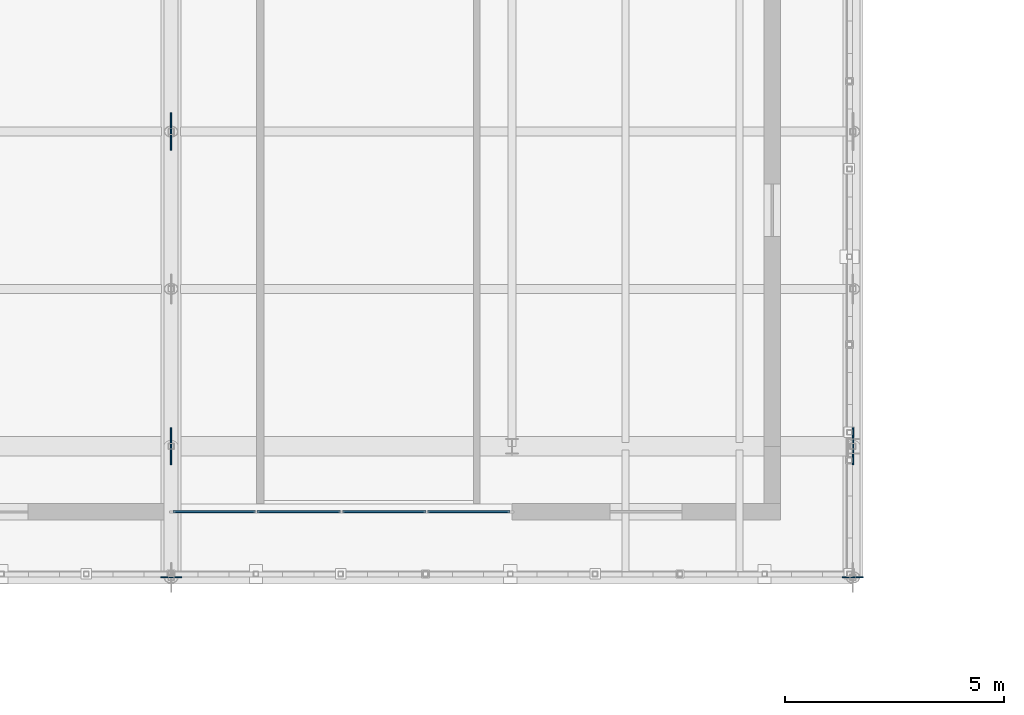
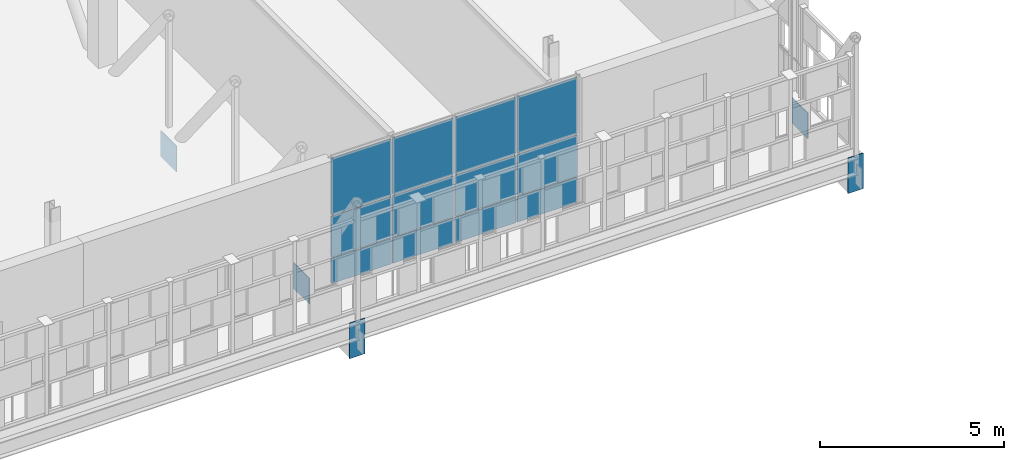
# One storey, part 70 of 119: 17 plates, 1 element without a shape of its own.
"""IFC4 building model written with IfcOpenShell, lengths in metres."""

from ifc_helpers import new_model, si_unit, direction, frame, origin, origin_2d, place, context, subcontext, project, spatial, rectangle, extrude, material, layer, layer_set, type_object, element, aggregate, save


model = new_model("IFC4")

# Units and contexts
model_context = context("Model", 3, precision=1e-05, world=origin(), true_north=direction((0.0, 1.0)))
body_context = subcontext(model_context, "Body", "Model", "MODEL_VIEW")
ifc_project = project(units=[si_unit("LENGTHUNIT", "METRE"), si_unit("AREAUNIT", "SQUARE_METRE"), si_unit("VOLUMEUNIT", "CUBIC_METRE"), si_unit("PLANEANGLEUNIT", "RADIAN"), si_unit("MASSUNIT", "GRAM", prefix="KILO")], contexts=[model_context])

# Site, building, storey
site_placement = place(None, origin())
site = spatial("IfcSite", under=ifc_project, at=site_placement, CompositionType="ELEMENT")
building_placement = place(site_placement, origin())
building = spatial("IfcBuilding", under=site, at=building_placement, Name="Celorna Specialist Clinic", CompositionType="ELEMENT")
storey_placement = place(building_placement, frame((0.0, 0.0, 9.60009765625)))
storey = spatial("IfcBuildingStorey", under=building, at=storey_placement, Name="L02", CompositionType="ELEMENT", Elevation=9.60009765625)

# Curtain wall, plates
ifc_material_1 = material(Name="Thermally broken aluminium and solar-control glass curtain wall", Category="aluminium")
ifc_layer_1 = layer(ifc_material_1, 0.159912109375, Name="Thermally broken aluminium and solar-control glass curtain wall")
ifc_layer_set_1 = layer_set([ifc_layer_1], Name="Thermally broken aluminium and solar-control glass curtain wall")
curtain_wall_type = type_object("IfcCurtainWallType", Name="CW-32", PredefinedType="NOTDEFINED", material=ifc_layer_set_1)
curtain_wall_placement = place(storey_placement, origin())
curtain_wall = element("IfcCurtainWall", 1, at=curtain_wall_placement, inside=storey, type_object=curtain_wall_type, Name="Curtain wall CW-32 #196", PredefinedType="NOTDEFINED")
ifc_material_2 = material(Name="Glazed polychrome ceramic insulated spandrel")
ifc_layer_2 = layer(ifc_material_2, 0.0439453125, Name="Glazed polychrome ceramic insulated spandrel")
ifc_layer_set_2 = layer_set([ifc_layer_2], Name="Glazed polychrome ceramic insulated spandrel")
plate_type_1 = type_object("IfcPlateType", Name="CPN-03", PredefinedType="CURTAIN_PANEL", material=ifc_layer_set_2)
plate_1_placement = place(storey_placement, frame((77.009521484375, 7.199951171875, 0.0498046875), z_axis=(0.0, 0.0, 1.0), x_axis=(-1.0, 0.0, 0.0)))
plate_1 = element("IfcPlate", 2, at=plate_1_placement, type_object=plate_type_1, Name="CW-32 panel 1.1", PredefinedType="CURTAIN_PANEL", context=body_context, shape_type="SweptSolid", body=[
    extrude(rectangle(XDim=1.873046875, YDim=0.0439453125, at=origin_2d()), origin(), (0.0, 0.0, 1.0), 0.824951171875),
])
plate_2_placement = place(storey_placement, frame((77.009521484375, 7.199951171875, 0.9248046875), z_axis=(0.0, 0.0, 1.0), x_axis=(-1.0, 0.0, 0.0)))
plate_2 = element("IfcPlate", 3, at=plate_2_placement, type_object=plate_type_1, Name="CW-32 panel 1.2", PredefinedType="CURTAIN_PANEL", context=body_context, shape_type="SweptSolid", body=[
    extrude(rectangle(XDim=1.873046875, YDim=0.0439453125, at=origin_2d()), origin(), (0.0, 0.0, 1.0), 1.35009765625),
])
plate_3_placement = place(storey_placement, frame((77.009521484375, 7.199951171875, 2.32470703125), z_axis=(0.0, 0.0, 1.0), x_axis=(-1.0, 0.0, 0.0)))
plate_3 = element("IfcPlate", 4, at=plate_3_placement, type_object=plate_type_1, Name="CW-32 panel 1.3", PredefinedType="CURTAIN_PANEL", context=body_context, shape_type="SweptSolid", body=[
    extrude(rectangle(XDim=1.873046875, YDim=0.0439453125, at=origin_2d()), origin(), (0.0, 0.0, 1.0), 1.864990234375),
])
plate_4_placement = place(storey_placement, frame((75.073974609375, 7.199951171875, 0.0498046875), z_axis=(0.0, 0.0, 1.0), x_axis=(-1.0, 0.0, 0.0)))
plate_4 = element("IfcPlate", 5, at=plate_4_placement, type_object=plate_type_1, Name="CW-32 panel 2.1", PredefinedType="CURTAIN_PANEL", context=body_context, shape_type="SweptSolid", body=[
    extrude(rectangle(XDim=1.89794921875, YDim=0.0439453125, at=origin_2d()), origin(), (0.0, 0.0, 1.0), 0.824951171875),
])
plate_5_placement = place(storey_placement, frame((75.073974609375, 7.199951171875, 0.9248046875), z_axis=(0.0, 0.0, 1.0), x_axis=(-1.0, 0.0, 0.0)))
plate_5 = element("IfcPlate", 6, at=plate_5_placement, type_object=plate_type_1, Name="CW-32 panel 2.2", PredefinedType="CURTAIN_PANEL", context=body_context, shape_type="SweptSolid", body=[
    extrude(rectangle(XDim=1.89794921875, YDim=0.0439453125, at=origin_2d()), origin(), (0.0, 0.0, 1.0), 1.35009765625),
])
plate_6_placement = place(storey_placement, frame((75.073974609375, 7.199951171875, 2.32470703125), z_axis=(0.0, 0.0, 1.0), x_axis=(-1.0, 0.0, 0.0)))
plate_6 = element("IfcPlate", 7, at=plate_6_placement, type_object=plate_type_1, Name="CW-32 panel 2.3", PredefinedType="CURTAIN_PANEL", context=body_context, shape_type="SweptSolid", body=[
    extrude(rectangle(XDim=1.89794921875, YDim=0.0439453125, at=origin_2d()), origin(), (0.0, 0.0, 1.0), 1.864990234375),
])
plate_7_placement = place(storey_placement, frame((73.1259765625, 7.199951171875, 0.0498046875), z_axis=(0.0, 0.0, 1.0), x_axis=(-1.0, 0.0, 0.0)))
plate_7 = element("IfcPlate", 8, at=plate_7_placement, type_object=plate_type_1, Name="CW-32 panel 3.1", PredefinedType="CURTAIN_PANEL", context=body_context, shape_type="SweptSolid", body=[
    extrude(rectangle(XDim=1.89794921875, YDim=0.0439453125, at=origin_2d()), origin(), (0.0, 0.0, 1.0), 0.824951171875),
])
plate_8_placement = place(storey_placement, frame((73.1259765625, 7.199951171875, 0.9248046875), z_axis=(0.0, 0.0, 1.0), x_axis=(-1.0, 0.0, 0.0)))
plate_8 = element("IfcPlate", 9, at=plate_8_placement, type_object=plate_type_1, Name="CW-32 panel 3.2", PredefinedType="CURTAIN_PANEL", context=body_context, shape_type="SweptSolid", body=[
    extrude(rectangle(XDim=1.89794921875, YDim=0.0439453125, at=origin_2d()), origin(), (0.0, 0.0, 1.0), 1.35009765625),
])
plate_9_placement = place(storey_placement, frame((73.1259765625, 7.199951171875, 2.32470703125), z_axis=(0.0, 0.0, 1.0), x_axis=(-1.0, 0.0, 0.0)))
plate_9 = element("IfcPlate", 10, at=plate_9_placement, type_object=plate_type_1, Name="CW-32 panel 3.3", PredefinedType="CURTAIN_PANEL", context=body_context, shape_type="SweptSolid", body=[
    extrude(rectangle(XDim=1.89794921875, YDim=0.0439453125, at=origin_2d()), origin(), (0.0, 0.0, 1.0), 1.864990234375),
])
plate_10_placement = place(storey_placement, frame((71.1904296875, 7.199951171875, 0.0498046875), z_axis=(0.0, 0.0, 1.0), x_axis=(-1.0, 0.0, 0.0)))
plate_10 = element("IfcPlate", 11, at=plate_10_placement, type_object=plate_type_1, Name="CW-32 panel 4.1", PredefinedType="CURTAIN_PANEL", context=body_context, shape_type="SweptSolid", body=[
    extrude(rectangle(XDim=1.873046875, YDim=0.0439453125, at=origin_2d()), origin(), (0.0, 0.0, 1.0), 0.824951171875),
])
plate_11_placement = place(storey_placement, frame((71.1904296875, 7.199951171875, 0.9248046875), z_axis=(0.0, 0.0, 1.0), x_axis=(-1.0, 0.0, 0.0)))
plate_11 = element("IfcPlate", 12, at=plate_11_placement, type_object=plate_type_1, Name="CW-32 panel 4.2", PredefinedType="CURTAIN_PANEL", context=body_context, shape_type="SweptSolid", body=[
    extrude(rectangle(XDim=1.873046875, YDim=0.0439453125, at=origin_2d()), origin(), (0.0, 0.0, 1.0), 1.35009765625),
])
plate_12_placement = place(storey_placement, frame((71.1904296875, 7.199951171875, 2.32470703125), z_axis=(0.0, 0.0, 1.0), x_axis=(-1.0, 0.0, 0.0)))
plate_12 = element("IfcPlate", 13, at=plate_12_placement, type_object=plate_type_1, Name="CW-32 panel 4.3", PredefinedType="CURTAIN_PANEL", context=body_context, shape_type="SweptSolid", body=[
    extrude(rectangle(XDim=1.873046875, YDim=0.0439453125, at=origin_2d()), origin(), (0.0, 0.0, 1.0), 1.864990234375),
])
aggregate(curtain_wall, [plate_1, plate_2, plate_3, plate_4, plate_5, plate_6, plate_7, plate_8, plate_9, plate_10, plate_11, plate_12])

# Plates
ifc_material_3 = material(Name="Steel S355", Category="steel")
ifc_layer_3 = layer(ifc_material_3, 0.02490234375, Name="Steel S355")
ifc_layer_set_3 = layer_set([ifc_layer_3], Name="Steel S355")
plate_type_2 = type_object("IfcPlateType", Name="EP-01", PredefinedType="SHEET", material=ifc_layer_set_3)
for number, where, z_axis, x_axis, name in (
    (14, (70.199951171875, 5.699951171875, -1.42529296875), (0.0, 0.0, 1.0), (1.0, 0.0, 0.0), "Truss chord end cap plate EP-01 #27"),
    (15, (85.800048828125, 5.699951171875, -1.42529296875), (0.0, 0.0, 1.0), (1.0, 0.0, 0.0), "Truss chord end cap plate EP-01 #49"),
):
    element("IfcPlate", number, at=place(storey_placement, frame(where, z_axis=z_axis, x_axis=x_axis)), inside=storey, type_object=plate_type_2, Name=name, PredefinedType="SHEET", context=body_context, shape_type="SweptSolid", body=[
        extrude(rectangle(XDim=0.47998046875, YDim=0.02490234375, at=origin_2d()), origin(), (0.0, 0.0, 1.0), 1.179931640625),
    ])
ifc_layer_4 = layer(ifc_material_3, 0.028076171875, Name="Steel S355")
ifc_layer_set_4 = layer_set([ifc_layer_4], Name="Steel S355")
plate_type_3 = type_object("IfcPlateType", Name="GP-01", PredefinedType="USERDEFINED", material=ifc_layer_set_4)
for number, where, z_axis, x_axis, name in (
    (16, (70.199951171875, 8.699951171875, -1.26025390625), (0.0, 0.0, 1.0), (0.0, 1.0, 0.0), "Truss node gusset plate TN-034"),
    (17, (70.199951171875, 15.89990234375, -1.26025390625), (0.0, 0.0, 1.0), (0.0, 1.0, 0.0), "Truss node gusset plate TN-036"),
    (18, (85.800048828125, 8.699951171875, -1.26025390625), (0.0, 0.0, 1.0), (0.0, 1.0, 0.0), "Truss node gusset plate TN-056"),
):
    element("IfcPlate", number, at=place(storey_placement, frame(where, z_axis=z_axis, x_axis=x_axis)), inside=storey, type_object=plate_type_3, Name=name, ObjectType="GUSSET PLATE", PredefinedType="USERDEFINED", context=body_context, shape_type="SweptSolid", body=[
        extrude(rectangle(XDim=0.85009765625, YDim=0.028076171875, at=origin_2d()), origin(), (0.0, 0.0, 1.0), 0.85009765625),
    ])

save(model, "model.ifc")
